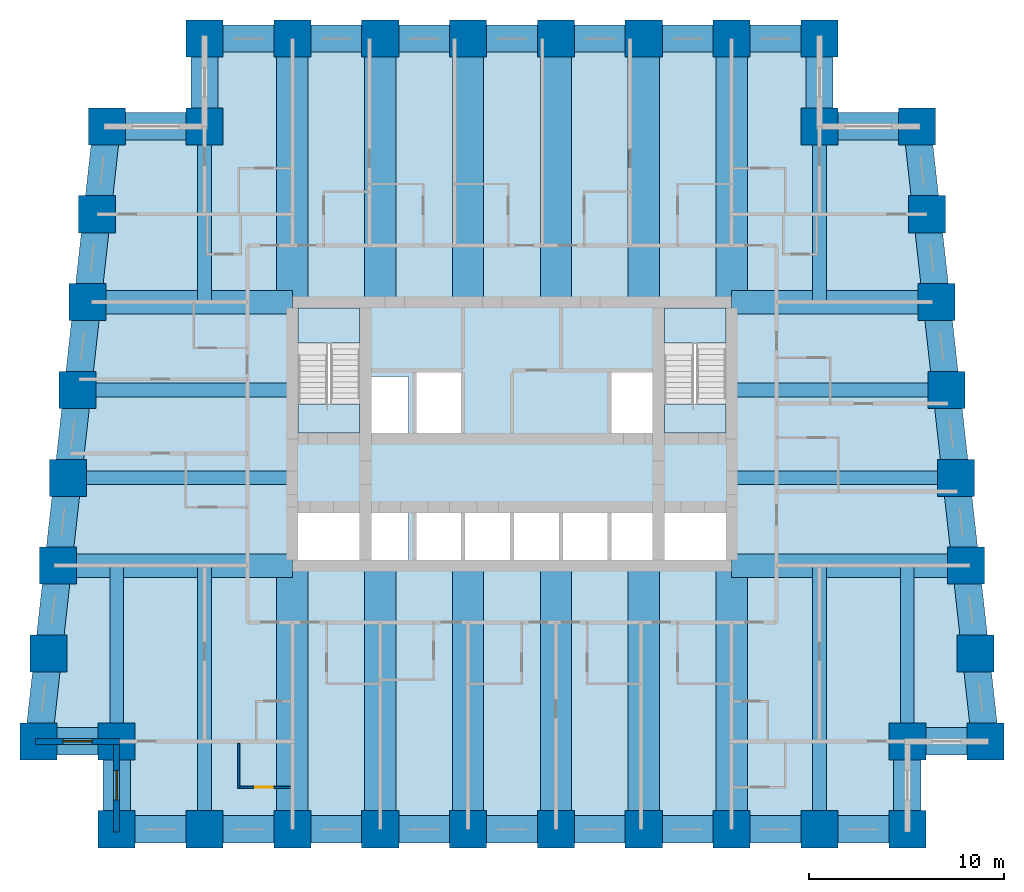
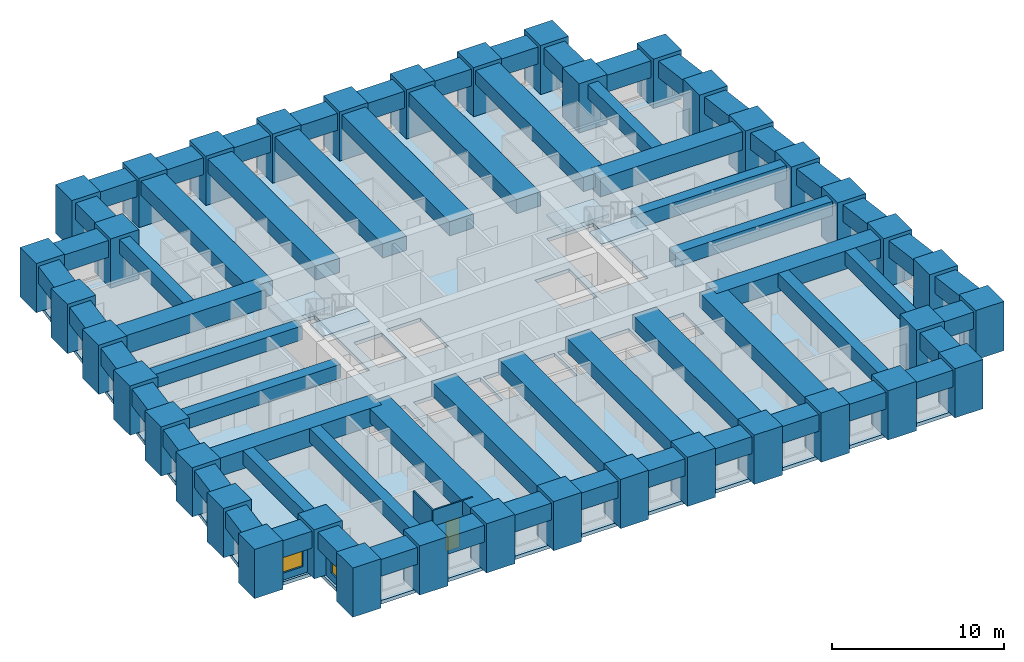
# One storey, part 1 of 8: 64 beams, 38 columns, 5 slabs, 4 walls, 2 windows, 1 door, 3 openings, 2 elements without a shape of their own.
"""IFC4 building model written with IfcOpenShell, lengths in metres."""

from ifc_helpers import new_model, si_unit, direction, frame, frame_2d, origin, origin_2d, place, context, subcontext, project, spatial, polyline, rectangle, outline, extrude, material, layer, layer_set, material_profile, profile_set, type_object, element, fill, aggregate, save


model = new_model("IFC4")

# Units and contexts
model_context = context("Model", 3, precision=1e-05, world=origin(), true_north=direction((0.0, 1.0)))
body_context = subcontext(model_context, "Body", "Model", "MODEL_VIEW")
ifc_project = project(units=[si_unit("LENGTHUNIT", "METRE"), si_unit("AREAUNIT", "SQUARE_METRE"), si_unit("VOLUMEUNIT", "CUBIC_METRE"), si_unit("PLANEANGLEUNIT", "RADIAN"), si_unit("MASSUNIT", "GRAM", prefix="KILO")], contexts=[model_context])

# Site, building, storey
site_placement = place(None, origin())
site = spatial("IfcSite", under=ifc_project, at=site_placement, CompositionType="ELEMENT")
building_placement = place(site_placement, origin())
building = spatial("IfcBuilding", under=site, at=building_placement, Name="Kilele Tower Hotel", CompositionType="ELEMENT")
storey_placement = place(building_placement, frame((0.0, 0.0, 64.699951171875)))
storey = spatial("IfcBuildingStorey", under=building, at=storey_placement, Name="L15", CompositionType="ELEMENT", Elevation=64.699951171875)

# Columns
ifc_material_1 = material(Name="Concrete C80/95", Category="concrete")
ifc_material_profile_1 = material_profile(ifc_material_1, rectangle(XDim=1.89990234375, YDim=1.89990234375, at=origin_2d()))
ifc_profile_set_1 = profile_set([ifc_material_profile_1], Name="Concrete C80/95")
column_type = type_object("IfcColumnType", Name="Tube column RC 1900x1900 C80/95", PredefinedType="COLUMN", material=ifc_profile_set_1)
for number, where, z_axis, x_axis, name in (
    (1, (0.5, 4.5, 0.0), (0.0, 0.0, 1.0), (1.0, 0.0, 0.0), "Column TC1 L15"),
    (2, (4.5, 4.5, 0.0), (0.0, 0.0, 1.0), (1.0, 0.0, 0.0), "Column TC1 L15"),
    (3, (4.5, 0.0, 0.0), (0.0, 0.0, 1.0), (1.0, 0.0, 0.0), "Column TC1 L15"),
    (4, (9.0, 0.0, 0.0), (0.0, 0.0, 1.0), (1.0, 0.0, 0.0), "Column TC1 L15"),
    (5, (13.5, 0.0, 0.0), (0.0, 0.0, 1.0), (1.0, 0.0, 0.0), "Column TC1 L15"),
    (6, (18.0, 0.0, 0.0), (0.0, 0.0, 1.0), (1.0, 0.0, 0.0), "Column TC1 L15"),
    (7, (22.5, 0.0, 0.0), (0.0, 0.0, 1.0), (1.0, 0.0, 0.0), "Column TC1 L15"),
    (8, (27.0, 0.0, 0.0), (0.0, 0.0, 1.0), (1.0, 0.0, 0.0), "Column TC1 L15"),
    (9, (31.5, 0.0, 0.0), (0.0, 0.0, 1.0), (1.0, 0.0, 0.0), "Column TC1 L15"),
    (10, (36.0, 0.0, 0.0), (0.0, 0.0, 1.0), (1.0, 0.0, 0.0), "Column TC1 L15"),
    (11, (40.5, 0.0, 0.0), (0.0, 0.0, 1.0), (1.0, 0.0, 0.0), "Column TC1 L15"),
    (12, (45.0, 0.0, 0.0), (0.0, 0.0, 1.0), (1.0, 0.0, 0.0), "Column TC1 L15"),
    (13, (45.0, 4.5, 0.0), (0.0, 0.0, 1.0), (1.0, 0.0, 0.0), "Column TC1 L15"),
    (14, (49.0, 4.5, 0.0), (0.0, 0.0, 1.0), (1.0, 0.0, 0.0), "Column TC1 L15"),
    (15, (48.5, 9.0, 0.0), (0.0, 0.0, 1.0), (1.0, 0.0, 0.0), "Column TC1 L15"),
    (16, (48.0, 13.5, 0.0), (0.0, 0.0, 1.0), (1.0, 0.0, 0.0), "Column TC1 L15"),
    (17, (47.5, 18.0, 0.0), (0.0, 0.0, 1.0), (1.0, 0.0, 0.0), "Column TC1 L15"),
    (18, (47.0, 22.5, 0.0), (0.0, 0.0, 1.0), (1.0, 0.0, 0.0), "Column TC1 L15"),
    (19, (46.5, 27.0, 0.0), (0.0, 0.0, 1.0), (1.0, 0.0, 0.0), "Column TC1 L15"),
    (20, (46.0, 31.5, 0.0), (0.0, 0.0, 1.0), (1.0, 0.0, 0.0), "Column TC1 L15"),
    (21, (45.5, 36.0, 0.0), (0.0, 0.0, 1.0), (1.0, 0.0, 0.0), "Column TC1 L15"),
    (22, (40.5, 36.0, 0.0), (0.0, 0.0, 1.0), (1.0, 0.0, 0.0), "Column TC1 L15"),
    (23, (40.5, 40.5, 0.0), (0.0, 0.0, 1.0), (1.0, 0.0, 0.0), "Column TC1 L15"),
    (24, (36.0, 40.5, 0.0), (0.0, 0.0, 1.0), (1.0, 0.0, 0.0), "Column TC1 L15"),
    (25, (31.5, 40.5, 0.0), (0.0, 0.0, 1.0), (1.0, 0.0, 0.0), "Column TC1 L15"),
    (26, (27.0, 40.5, 0.0), (0.0, 0.0, 1.0), (1.0, 0.0, 0.0), "Column TC1 L15"),
    (27, (22.5, 40.5, 0.0), (0.0, 0.0, 1.0), (1.0, 0.0, 0.0), "Column TC1 L15"),
    (28, (18.0, 40.5, 0.0), (0.0, 0.0, 1.0), (1.0, 0.0, 0.0), "Column TC1 L15"),
    (29, (13.5, 40.5, 0.0), (0.0, 0.0, 1.0), (1.0, 0.0, 0.0), "Column TC1 L15"),
    (30, (9.0, 40.5, 0.0), (0.0, 0.0, 1.0), (1.0, 0.0, 0.0), "Column TC1 L15"),
    (31, (9.0, 36.0, 0.0), (0.0, 0.0, 1.0), (1.0, 0.0, 0.0), "Column TC1 L15"),
    (32, (4.0, 36.0, 0.0), (0.0, 0.0, 1.0), (1.0, 0.0, 0.0), "Column TC1 L15"),
    (33, (3.5, 31.5, 0.0), (0.0, 0.0, 1.0), (1.0, 0.0, 0.0), "Column TC1 L15"),
    (34, (3.0, 27.0, 0.0), (0.0, 0.0, 1.0), (1.0, 0.0, 0.0), "Column TC1 L15"),
    (35, (2.5, 22.5, 0.0), (0.0, 0.0, 1.0), (1.0, 0.0, 0.0), "Column TC1 L15"),
    (36, (2.0, 18.0, 0.0), (0.0, 0.0, 1.0), (1.0, 0.0, 0.0), "Column TC1 L15"),
    (37, (1.5, 13.5, 0.0), (0.0, 0.0, 1.0), (1.0, 0.0, 0.0), "Column TC1 L15"),
    (38, (1.0, 9.0, 0.0), (0.0, 0.0, 1.0), (1.0, 0.0, 0.0), "Column TC1 L15"),
):
    element("IfcColumn", number, at=place(storey_placement, frame(where, z_axis=z_axis, x_axis=x_axis)), inside=storey, type_object=column_type, Name=name, PredefinedType="COLUMN", context=body_context, shape_type="SweptSolid", body=[
        extrude(rectangle(XDim=1.89990234375, YDim=1.89990234375, at=origin_2d()), origin(), (0.0, 0.0, 1.0), 3.5),
    ])

# Beams
ifc_material_2 = material(Name="Concrete C60/75", Category="concrete")
ifc_material_profile_2 = material_profile(ifc_material_2, rectangle(XDim=1.60009765625, YDim=1.0, at=origin_2d()))
ifc_profile_set_2 = profile_set([ifc_material_profile_2], Name="Concrete C60/75")
beam_type_1 = type_object("IfcBeamType", Name="Beam RC 1600x1000 C60/75", PredefinedType="BEAM", material=ifc_profile_set_2)
for number, where, z_axis, x_axis, name in (
    (39, (13.5, 0.0, 2.75), (0.0, 1.0, 0.0), (-1.0, 0.0, 0.0), "Beam BC1 level L16"),
    (40, (18.0, 0.0, 2.75), (0.0, 1.0, 0.0), (-1.0, 0.0, 0.0), "Beam BC1 level L16"),
    (41, (22.5, 0.0, 2.75), (0.0, 1.0, 0.0), (-1.0, 0.0, 0.0), "Beam BC1 level L16"),
    (42, (27.0, 0.0, 2.75), (0.0, 1.0, 0.0), (-1.0, 0.0, 0.0), "Beam BC1 level L16"),
    (43, (31.5, 0.0, 2.75), (0.0, 1.0, 0.0), (-1.0, 0.0, 0.0), "Beam BC1 level L16"),
    (44, (36.0, 0.0, 2.75), (0.0, 1.0, 0.0), (-1.0, 0.0, 0.0), "Beam BC1 level L16"),
    (45, (36.0, 40.5, 2.75), (0.0, -1.0, 0.0), (1.0, 0.0, 0.0), "Beam BC1 level L16"),
    (46, (31.5, 40.5, 2.75), (0.0, -1.0, 0.0), (1.0, 0.0, 0.0), "Beam BC1 level L16"),
    (47, (27.0, 40.5, 2.75), (0.0, -1.0, 0.0), (1.0, 0.0, 0.0), "Beam BC1 level L16"),
    (48, (22.5, 40.5, 2.75), (0.0, -1.0, 0.0), (1.0, 0.0, 0.0), "Beam BC1 level L16"),
    (49, (18.0, 40.5, 2.75), (0.0, -1.0, 0.0), (1.0, 0.0, 0.0), "Beam BC1 level L16"),
    (50, (13.5, 40.5, 2.75), (0.0, -1.0, 0.0), (1.0, 0.0, 0.0), "Beam BC1 level L16"),
):
    element("IfcBeam", number, at=place(storey_placement, frame(where, z_axis=z_axis, x_axis=x_axis)), inside=storey, type_object=beam_type_1, Name=name, PredefinedType="BEAM", context=body_context, shape_type="SweptSolid", body=[
        extrude(rectangle(XDim=1.60009765625, YDim=1.0, at=origin_2d()), origin(), (0.0, 0.0, 1.0), 13.5),
    ])
ifc_material_3 = material(Name="Concrete C60/75", Category="concrete")
ifc_material_profile_3 = material_profile(ifc_material_3, rectangle(XDim=0.699951171875, YDim=1.0, at=origin_2d()))
ifc_profile_set_3 = profile_set([ifc_material_profile_3], Name="Concrete C60/75")
beam_type_2 = type_object("IfcBeamType", Name="Beam RC 700x1000 C60/75", PredefinedType="BEAM", material=ifc_profile_set_3)
for number, where, z_axis, x_axis, name in (
    (51, (9.0, 0.0, 2.75), (0.0, 1.0, 0.0), (-1.0, 0.0, 0.0), "Beam B4 level L16"),
    (52, (40.5, 0.0, 2.75), (0.0, 1.0, 0.0), (-1.0, 0.0, 0.0), "Beam B4 level L16"),
):
    element("IfcBeam", number, at=place(storey_placement, frame(where, z_axis=z_axis, x_axis=x_axis)), inside=storey, type_object=beam_type_2, Name=name, PredefinedType="BEAM", context=body_context, shape_type="SweptSolid", body=[
        extrude(rectangle(XDim=0.699951171875, YDim=1.0, at=origin_2d()), origin(), (0.0, 0.0, 1.0), 13.5),
    ])
ifc_material_4 = material(Name="Concrete C60/75", Category="concrete")
ifc_material_profile_4 = material_profile(ifc_material_4, rectangle(XDim=0.699951171875, YDim=1.0, at=origin_2d()))
ifc_profile_set_4 = profile_set([ifc_material_profile_4], Name="Concrete C60/75")
beam_type_3 = type_object("IfcBeamType", Name="Beam RC 700x1000 C60/75 mid span", PredefinedType="BEAM", material=ifc_profile_set_4)
for number, where, z_axis, x_axis, name in (
    (53, (4.5, 4.5, 2.75), (0.0, 1.0, 0.0), (-1.0, 0.0, 0.0), "Beam B5 level L16"),
    (54, (45.0, 4.5, 2.75), (0.0, 1.0, 0.0), (-1.0, 0.0, 0.0), "Beam B5 level L16"),
):
    element("IfcBeam", number, at=place(storey_placement, frame(where, z_axis=z_axis, x_axis=x_axis)), inside=storey, type_object=beam_type_3, Name=name, PredefinedType="BEAM", context=body_context, shape_type="SweptSolid", body=[
        extrude(rectangle(XDim=0.699951171875, YDim=1.0, at=origin_2d()), origin(), (0.0, 0.0, 1.0), 9.0),
    ])
beam_1_placement = place(storey_placement, frame((47.5, 18.0, 2.75), z_axis=(-1.0, 0.0, 0.0), x_axis=(0.0, -1.0, 0.0)))
element("IfcBeam", 55, at=beam_1_placement, inside=storey, type_object=beam_type_3, Name="Beam B5 level L16", PredefinedType="BEAM", context=body_context, shape_type="SweptSolid", body=[
    extrude(rectangle(XDim=0.699951171875, YDim=1.0, at=origin_2d()), origin(), (0.0, 0.0, 1.0), 11.5),
])
beam_2_placement = place(storey_placement, frame((47.0, 22.5, 2.75), z_axis=(-1.0, 0.0, 0.0), x_axis=(0.0, -1.0, 0.0)))
element("IfcBeam", 56, at=beam_2_placement, inside=storey, type_object=beam_type_3, Name="Beam B5 level L16", PredefinedType="BEAM", context=body_context, shape_type="SweptSolid", body=[
    extrude(rectangle(XDim=0.699951171875, YDim=1.0, at=origin_2d()), origin(), (0.0, 0.0, 1.0), 11.0),
])
for number, where, z_axis, x_axis, name in (
    (57, (40.5, 36.0, 2.75), (0.0, -1.0, 0.0), (1.0, 0.0, 0.0), "Beam B5 level L16"),
    (58, (9.0, 36.0, 2.75), (0.0, -1.0, 0.0), (1.0, 0.0, 0.0), "Beam B5 level L16"),
):
    element("IfcBeam", number, at=place(storey_placement, frame(where, z_axis=z_axis, x_axis=x_axis)), inside=storey, type_object=beam_type_3, Name=name, PredefinedType="BEAM", context=body_context, shape_type="SweptSolid", body=[
        extrude(rectangle(XDim=0.699951171875, YDim=1.0, at=origin_2d()), origin(), (0.0, 0.0, 1.0), 9.0),
    ])
beam_3_placement = place(storey_placement, frame((2.5, 22.5, 2.75), z_axis=(1.0, 0.0, 0.0), x_axis=(0.0, 1.0, 0.0)))
element("IfcBeam", 59, at=beam_3_placement, inside=storey, type_object=beam_type_3, Name="Beam B5 level L16", PredefinedType="BEAM", context=body_context, shape_type="SweptSolid", body=[
    extrude(rectangle(XDim=0.699951171875, YDim=1.0, at=origin_2d()), origin(), (0.0, 0.0, 1.0), 11.0),
])
beam_4_placement = place(storey_placement, frame((2.0, 18.0, 2.75), z_axis=(1.0, 0.0, 0.0), x_axis=(0.0, 1.0, 0.0)))
element("IfcBeam", 60, at=beam_4_placement, inside=storey, type_object=beam_type_3, Name="Beam B5 level L16", PredefinedType="BEAM", context=body_context, shape_type="SweptSolid", body=[
    extrude(rectangle(XDim=0.699951171875, YDim=1.0, at=origin_2d()), origin(), (0.0, 0.0, 1.0), 11.5),
])
ifc_material_5 = material(Name="Concrete C60/75", Category="concrete")
ifc_material_profile_5 = material_profile(ifc_material_5, rectangle(XDim=1.199951171875, YDim=1.300048828125, at=origin_2d()))
ifc_profile_set_5 = profile_set([ifc_material_profile_5], Name="Concrete C60/75")
beam_type_4 = type_object("IfcBeamType", Name="Girder RC 1200x1300 C60/75", PredefinedType="BEAM", material=ifc_profile_set_5)
for number, where, z_axis, x_axis, name in (
    (61, (48.0, 13.5, 2.60009765625), (-1.0, 0.0, 0.0), (0.0, -1.0, 0.0), "Girder G1 level L16"),
    (62, (1.5, 13.5, 2.60009765625), (1.0, 0.0, 0.0), (0.0, 1.0, 0.0), "Girder G1 level L16"),
):
    element("IfcBeam", number, at=place(storey_placement, frame(where, z_axis=z_axis, x_axis=x_axis)), inside=storey, type_object=beam_type_4, Name=name, PredefinedType="BEAM", context=body_context, shape_type="SweptSolid", body=[
        extrude(rectangle(XDim=1.199951171875, YDim=1.300048828125, at=origin_2d()), origin(), (0.0, 0.0, 1.0), 12.0),
    ])
ifc_material_6 = material(Name="Concrete C60/75", Category="concrete")
ifc_material_profile_6 = material_profile(ifc_material_6, rectangle(XDim=1.199951171875, YDim=1.300048828125, at=origin_2d()))
ifc_profile_set_6 = profile_set([ifc_material_profile_6], Name="Concrete C60/75")
beam_type_5 = type_object("IfcBeamType", Name="Girder RC 1200x1300 C60/75 mid span", PredefinedType="BEAM", material=ifc_profile_set_6)
for number, where, z_axis, x_axis, name in (
    (63, (46.5, 27.0, 2.60009765625), (-1.0, 0.0, 0.0), (0.0, -1.0, 0.0), "Girder G3 level L16"),
    (64, (3.0, 27.0, 2.60009765625), (1.0, 0.0, 0.0), (0.0, 1.0, 0.0), "Girder G3 level L16"),
):
    element("IfcBeam", number, at=place(storey_placement, frame(where, z_axis=z_axis, x_axis=x_axis)), inside=storey, type_object=beam_type_5, Name=name, PredefinedType="BEAM", context=body_context, shape_type="SweptSolid", body=[
        extrude(rectangle(XDim=1.199951171875, YDim=1.300048828125, at=origin_2d()), origin(), (0.0, 0.0, 1.0), 10.5),
    ])
ifc_material_7 = material(Name="Concrete C60/75", Category="concrete")
ifc_material_profile_7 = material_profile(ifc_material_7, rectangle(XDim=1.39990234375, YDim=1.199951171875, at=origin_2d()))
ifc_profile_set_7 = profile_set([ifc_material_profile_7], Name="Concrete C60/75")
beam_type_6 = type_object("IfcBeamType", Name="Spandrel RC 1400x1200 C60/75", PredefinedType="SPANDREL", material=ifc_profile_set_7)
beam_5_placement = place(storey_placement, frame((0.5, 4.5, 2.650146484375), z_axis=(1.0, 0.0, 0.0), x_axis=(0.0, 1.0, 0.0)))
element("IfcBeam", 65, at=beam_5_placement, inside=storey, type_object=beam_type_6, Name="Spandrel SP10 level L16", PredefinedType="SPANDREL", context=body_context, shape_type="SweptSolid", body=[
    extrude(rectangle(XDim=1.39990234375, YDim=1.199951171875, at=origin_2d()), origin(), (0.0, 0.0, 1.0), 4.0),
])
for number, where, z_axis, x_axis, name in (
    (66, (4.5, 4.5, 2.650146484375), (0.0, -1.0, 0.0), (1.0, 0.0, 0.0), "Spandrel SP10 level L16"),
    (67, (4.5, 0.0, 2.650146484375), (1.0, 0.0, 0.0), (0.0, 1.0, 0.0), "Spandrel SP10 level L16"),
    (68, (9.0, 0.0, 2.650146484375), (1.0, 0.0, 0.0), (0.0, 1.0, 0.0), "Spandrel SP10 level L16"),
    (69, (13.5, 0.0, 2.650146484375), (1.0, 0.0, 0.0), (0.0, 1.0, 0.0), "Spandrel SP10 level L16"),
    (70, (18.0, 0.0, 2.650146484375), (1.0, 0.0, 0.0), (0.0, 1.0, 0.0), "Spandrel SP10 level L16"),
    (71, (22.5, 0.0, 2.650146484375), (1.0, 0.0, 0.0), (0.0, 1.0, 0.0), "Spandrel SP10 level L16"),
    (72, (27.0, 0.0, 2.650146484375), (1.0, 0.0, 0.0), (0.0, 1.0, 0.0), "Spandrel SP10 level L16"),
    (73, (31.5, 0.0, 2.650146484375), (1.0, 0.0, 0.0), (0.0, 1.0, 0.0), "Spandrel SP10 level L16"),
    (74, (36.0, 0.0, 2.650146484375), (1.0, 0.0, 0.0), (0.0, 1.0, 0.0), "Spandrel SP10 level L16"),
    (75, (40.5, 0.0, 2.650146484375), (1.0, 0.0, 0.0), (0.0, 1.0, 0.0), "Spandrel SP10 level L16"),
    (76, (45.0, 0.0, 2.650146484375), (0.0, 1.0, 0.0), (-1.0, 0.0, 0.0), "Spandrel SP10 level L16"),
):
    element("IfcBeam", number, at=place(storey_placement, frame(where, z_axis=z_axis, x_axis=x_axis)), inside=storey, type_object=beam_type_6, Name=name, PredefinedType="SPANDREL", context=body_context, shape_type="SweptSolid", body=[
        extrude(rectangle(XDim=1.39990234375, YDim=1.199951171875, at=origin_2d()), origin(), (0.0, 0.0, 1.0), 4.5),
    ])
beam_6_placement = place(storey_placement, frame((45.0, 4.5, 2.650146484375), z_axis=(1.0, 0.0, 0.0), x_axis=(0.0, 1.0, 0.0)))
element("IfcBeam", 77, at=beam_6_placement, inside=storey, type_object=beam_type_6, Name="Spandrel SP10 level L16", PredefinedType="SPANDREL", context=body_context, shape_type="SweptSolid", body=[
    extrude(rectangle(XDim=1.39990234375, YDim=1.199951171875, at=origin_2d()), origin(), (0.0, 0.0, 1.0), 4.0),
])
for number, where, z_axis, x_axis, name in (
    (78, (49.0, 4.5, 2.650146484375), (-0.110431526075, 0.993883734674, 0.0), (-0.993883734674, -0.110431526075, 0.0), "Spandrel SP10 level L16"),
    (79, (48.5, 9.0, 2.650146484375), (-0.110431526075, 0.993883734674, 0.0), (-0.993883734674, -0.110431526075, 0.0), "Spandrel SP10 level L16"),
    (80, (48.0, 13.5, 2.650146484375), (-0.110431526075, 0.993883734674, 0.0), (-0.993883734674, -0.110431526075, 0.0), "Spandrel SP10 level L16"),
    (81, (47.5, 18.0, 2.650146484375), (-0.110431526075, 0.993883734674, 0.0), (-0.993883734674, -0.110431526075, 0.0), "Spandrel SP10 level L16"),
    (82, (47.0, 22.5, 2.650146484375), (-0.110431526075, 0.993883734674, 0.0), (-0.993883734674, -0.110431526075, 0.0), "Spandrel SP10 level L16"),
    (83, (46.5, 27.0, 2.650146484375), (-0.110431526075, 0.993883734674, 0.0), (-0.993883734674, -0.110431526075, 0.0), "Spandrel SP10 level L16"),
    (84, (46.0, 31.5, 2.650146484375), (-0.110431526075, 0.993883734674, 0.0), (-0.993883734674, -0.110431526075, 0.0), "Spandrel SP10 level L16"),
):
    element("IfcBeam", number, at=place(storey_placement, frame(where, z_axis=z_axis, x_axis=x_axis)), inside=storey, type_object=beam_type_6, Name=name, PredefinedType="SPANDREL", context=body_context, shape_type="SweptSolid", body=[
        extrude(rectangle(XDim=1.39990234375, YDim=1.199951171875, at=origin_2d()), origin(), (0.0, 0.0, 1.0), 4.527587890625),
    ])
beam_7_placement = place(storey_placement, frame((45.5, 36.0, 2.650146484375), z_axis=(-1.0, 0.0, 0.0), x_axis=(0.0, -1.0, 0.0)))
element("IfcBeam", 85, at=beam_7_placement, inside=storey, type_object=beam_type_6, Name="Spandrel SP10 level L16", PredefinedType="SPANDREL", context=body_context, shape_type="SweptSolid", body=[
    extrude(rectangle(XDim=1.39990234375, YDim=1.199951171875, at=origin_2d()), origin(), (0.0, 0.0, 1.0), 5.0),
])
for number, where, z_axis, x_axis, name in (
    (86, (40.5, 36.0, 2.650146484375), (0.0, 1.0, 0.0), (-1.0, 0.0, 0.0), "Spandrel SP10 level L16"),
    (87, (40.5, 40.5, 2.650146484375), (-1.0, 0.0, 0.0), (0.0, -1.0, 0.0), "Spandrel SP10 level L16"),
    (88, (36.0, 40.5, 2.650146484375), (-1.0, 0.0, 0.0), (0.0, -1.0, 0.0), "Spandrel SP10 level L16"),
    (89, (31.5, 40.5, 2.650146484375), (-1.0, 0.0, 0.0), (0.0, -1.0, 0.0), "Spandrel SP10 level L16"),
    (90, (27.0, 40.5, 2.650146484375), (-1.0, 0.0, 0.0), (0.0, -1.0, 0.0), "Spandrel SP10 level L16"),
    (91, (22.5, 40.5, 2.650146484375), (-1.0, 0.0, 0.0), (0.0, -1.0, 0.0), "Spandrel SP10 level L16"),
    (92, (18.0, 40.5, 2.650146484375), (-1.0, 0.0, 0.0), (0.0, -1.0, 0.0), "Spandrel SP10 level L16"),
    (93, (13.5, 40.5, 2.650146484375), (-1.0, 0.0, 0.0), (0.0, -1.0, 0.0), "Spandrel SP10 level L16"),
    (94, (9.0, 40.5, 2.650146484375), (0.0, -1.0, 0.0), (1.0, 0.0, 0.0), "Spandrel SP10 level L16"),
):
    element("IfcBeam", number, at=place(storey_placement, frame(where, z_axis=z_axis, x_axis=x_axis)), inside=storey, type_object=beam_type_6, Name=name, PredefinedType="SPANDREL", context=body_context, shape_type="SweptSolid", body=[
        extrude(rectangle(XDim=1.39990234375, YDim=1.199951171875, at=origin_2d()), origin(), (0.0, 0.0, 1.0), 4.5),
    ])
beam_8_placement = place(storey_placement, frame((9.0, 36.0, 2.650146484375), z_axis=(-1.0, 0.0, 0.0), x_axis=(0.0, -1.0, 0.0)))
element("IfcBeam", 95, at=beam_8_placement, inside=storey, type_object=beam_type_6, Name="Spandrel SP10 level L16", PredefinedType="SPANDREL", context=body_context, shape_type="SweptSolid", body=[
    extrude(rectangle(XDim=1.39990234375, YDim=1.199951171875, at=origin_2d()), origin(), (0.0, 0.0, 1.0), 5.0),
])
for number, where, z_axis, x_axis, name in (
    (96, (4.0, 36.0, 2.650146484375), (-0.110431526075, -0.993883734674, 0.0), (0.993883734674, -0.110431526075, 0.0), "Spandrel SP10 level L16"),
    (97, (3.5, 31.5, 2.650146484375), (-0.110431526075, -0.993883734674, 0.0), (0.993883734674, -0.110431526075, 0.0), "Spandrel SP10 level L16"),
    (98, (3.0, 27.0, 2.650146484375), (-0.110431526075, -0.993883734674, 0.0), (0.993883734674, -0.110431526075, 0.0), "Spandrel SP10 level L16"),
    (99, (2.5, 22.5, 2.650146484375), (-0.110431526075, -0.993883734674, 0.0), (0.993883734674, -0.110431526075, 0.0), "Spandrel SP10 level L16"),
    (100, (2.0, 18.0, 2.650146484375), (-0.110431526075, -0.993883734674, 0.0), (0.993883734674, -0.110431526075, 0.0), "Spandrel SP10 level L16"),
    (101, (1.5, 13.5, 2.650146484375), (-0.110431526075, -0.993883734674, 0.0), (0.993883734674, -0.110431526075, 0.0), "Spandrel SP10 level L16"),
    (102, (1.0, 9.0, 2.650146484375), (-0.110431526075, -0.993883734674, 0.0), (0.993883734674, -0.110431526075, 0.0), "Spandrel SP10 level L16"),
):
    element("IfcBeam", number, at=place(storey_placement, frame(where, z_axis=z_axis, x_axis=x_axis)), inside=storey, type_object=beam_type_6, Name=name, PredefinedType="SPANDREL", context=body_context, shape_type="SweptSolid", body=[
        extrude(rectangle(XDim=1.39990234375, YDim=1.199951171875, at=origin_2d()), origin(), (0.0, 0.0, 1.0), 4.527587890625),
    ])

# Slab
ifc_material_8 = material(Name="Concrete C60/75", Category="concrete")
ifc_layer_1 = layer(ifc_material_8, 0.25)
ifc_layer_set_1 = layer_set([ifc_layer_1], Name="Concrete C60/75")
slab_type_1 = type_object("IfcSlabType", Name="Floor slab 250", PredefinedType="FLOOR", material=ifc_layer_set_1)
slab_1_placement = place(storey_placement, frame((0.0, 0.0, -0.25)))
element("IfcSlab", 103, at=slab_1_placement, inside=storey, type_object=slab_type_1, Name="Floor slab L15", PredefinedType="FLOOR", context=body_context, shape_type="SweptSolid", body=[
    extrude(outline(polyline([(8.699951171875, 36.300048828125), (8.699951171875, 40.800048828125), (40.800048828125, 40.800048828125), (40.800048828125, 36.300048828125), (45.7685546875, 36.300048828125), (49.335205078125, 4.199951171875), (45.300048828125, 4.199951171875), (45.300048828125, -0.300048828125), (4.199951171875, -0.300048828125), (4.199951171875, 4.199951171875), (0.164794921875, 4.199951171875), (3.7314453125, 36.300048828125), (8.699951171875, 36.300048828125)]), holes=[polyline([(16.949951171875, 16.199951171875), (13.800048828125, 16.199951171875), (13.800048828125, 13.800048828125), (16.949951171875, 13.800048828125), (16.949951171875, 16.199951171875)]), polyline([(19.449951171875, 13.800048828125), (19.449951171875, 16.199951171875), (17.550048828125, 16.199951171875), (17.550048828125, 13.800048828125), (19.449951171875, 13.800048828125)]), polyline([(22.14990234375, 13.800048828125), (22.14990234375, 16.39990234375), (19.85009765625, 16.39990234375), (19.85009765625, 13.800048828125), (22.14990234375, 13.800048828125)]), polyline([(24.64990234375, 16.39990234375), (22.35009765625, 16.39990234375), (22.35009765625, 13.800048828125), (24.64990234375, 13.800048828125), (24.64990234375, 16.39990234375)]), polyline([(19.449951171875, 20.300048828125), (19.449951171875, 23.199951171875), (17.550048828125, 23.199951171875), (17.550048828125, 20.300048828125), (19.449951171875, 20.300048828125)]), polyline([(22.14990234375, 20.10009765625), (22.14990234375, 23.39990234375), (19.85009765625, 23.39990234375), (19.85009765625, 20.10009765625), (22.14990234375, 20.10009765625)]), polyline([(16.949951171875, 26.699951171875), (13.800048828125, 26.699951171875), (13.800048828125, 20.300048828125), (16.949951171875, 20.300048828125), (16.949951171875, 26.699951171875)]), polyline([(35.699951171875, 13.800048828125), (35.699951171875, 16.199951171875), (32.550048828125, 16.199951171875), (32.550048828125, 13.800048828125), (35.699951171875, 13.800048828125)]), polyline([(27.14990234375, 13.800048828125), (27.14990234375, 16.39990234375), (24.85009765625, 16.39990234375), (24.85009765625, 13.800048828125), (27.14990234375, 13.800048828125)]), polyline([(29.64990234375, 13.800048828125), (29.64990234375, 16.39990234375), (27.35009765625, 16.39990234375), (27.35009765625, 13.800048828125), (29.64990234375, 13.800048828125)]), polyline([(32.14990234375, 13.800048828125), (32.14990234375, 16.39990234375), (29.85009765625, 16.39990234375), (29.85009765625, 13.800048828125), (32.14990234375, 13.800048828125)]), polyline([(32.14990234375, 20.10009765625), (32.14990234375, 23.39990234375), (29.85009765625, 23.39990234375), (29.85009765625, 20.10009765625), (32.14990234375, 20.10009765625)]), polyline([(35.699951171875, 20.300048828125), (35.699951171875, 26.699951171875), (32.550048828125, 26.699951171875), (32.550048828125, 20.300048828125), (35.699951171875, 20.300048828125)])]), origin(), (0.0, 0.0, 1.0), 0.25),
])

# Stair, slabs
ifc_material_9 = material(Name="Precast concrete C40/50", Category="concrete")
stair_type = type_object("IfcStairType", Name="Stair 1475 x 3500", PredefinedType="HALF_TURN_STAIR", material=ifc_material_9)
stair_1_placement = place(storey_placement, origin())
stair_1 = element("IfcStair", 104, at=stair_1_placement, inside=storey, type_object=stair_type, Name="Stair 1 L15", PredefinedType="HALF_TURN_STAIR")
ifc_material_10 = material(Name="Precast concrete C40/50", Category="concrete")
ifc_layer_2 = layer(ifc_material_10, 0.199951171875)
ifc_layer_set_2 = layer_set([ifc_layer_2], Name="Precast concrete C40/50")
slab_type_2 = type_object("IfcSlabType", Name="Stair landing 200", PredefinedType="LANDING", material=ifc_layer_set_2)
slab_2_placement = place(storey_placement, frame((0.0, 0.0, 1.550048828125)))
slab_2 = element("IfcSlab", 105, at=slab_2_placement, type_object=slab_type_2, Name="ST1 landing 1", PredefinedType="LANDING", context=body_context, shape_type="SweptSolid", body=[
    extrude(outline(polyline([(13.800048828125, 24.89501953125), (16.949951171875, 24.89501953125), (16.949951171875, 26.699951171875), (13.800048828125, 26.699951171875), (13.800048828125, 24.89501953125)])), origin(), (0.0, 0.0, 1.0), 0.199951171875),
])
slab_3_placement = place(storey_placement, frame((0.0, 0.0, 3.300048828125)))
slab_3 = element("IfcSlab", 106, at=slab_3_placement, type_object=slab_type_2, Name="ST1 landing 2", PredefinedType="LANDING", context=body_context, shape_type="SweptSolid", body=[
    extrude(outline(polyline([(13.800048828125, 20.300048828125), (16.949951171875, 20.300048828125), (16.949951171875, 21.77490234375), (13.800048828125, 21.77490234375), (13.800048828125, 20.300048828125)])), origin(), (0.0, 0.0, 1.0), 0.199951171875),
])
aggregate(stair_1, [slab_2, slab_3])

stair_2_placement = place(storey_placement, origin())
stair_2 = element("IfcStair", 107, at=stair_2_placement, inside=storey, type_object=stair_type, Name="Stair 2 L15", PredefinedType="HALF_TURN_STAIR")
slab_4_placement = place(storey_placement, frame((0.0, 0.0, 1.550048828125)))
slab_4 = element("IfcSlab", 108, at=slab_4_placement, type_object=slab_type_2, Name="ST2 landing 1", PredefinedType="LANDING", context=body_context, shape_type="SweptSolid", body=[
    extrude(outline(polyline([(32.550048828125, 24.89501953125), (35.699951171875, 24.89501953125), (35.699951171875, 26.699951171875), (32.550048828125, 26.699951171875), (32.550048828125, 24.89501953125)])), origin(), (0.0, 0.0, 1.0), 0.199951171875),
])
slab_5_placement = place(storey_placement, frame((0.0, 0.0, 3.300048828125)))
slab_5 = element("IfcSlab", 109, at=slab_5_placement, type_object=slab_type_2, Name="ST2 landing 2", PredefinedType="LANDING", context=body_context, shape_type="SweptSolid", body=[
    extrude(outline(polyline([(32.550048828125, 20.300048828125), (35.699951171875, 20.300048828125), (35.699951171875, 21.77490234375), (32.550048828125, 21.77490234375), (32.550048828125, 20.300048828125)])), origin(), (0.0, 0.0, 1.0), 0.199951171875),
])
aggregate(stair_2, [slab_4, slab_5])

# Wall
ifc_material_11 = material(Name="Moisture-resistant board")
ifc_layer_3 = layer(ifc_material_11, 0.10009765625)
ifc_layer_set_3 = layer_set([ifc_layer_3], Name="Moisture-resistant board")
wall_type_1 = type_object("IfcWallType", Name="Bathroom partition 100", PredefinedType="PLUMBINGWALL", material=ifc_layer_set_3)
wall_1_placement = place(storey_placement, frame((10.75, 4.39990234375, 0.0), z_axis=(0.0, 0.0, 1.0), x_axis=(0.0, -1.0, 0.0)))
element("IfcWall", 110, at=wall_1_placement, inside=storey, type_object=wall_type_1, Name="Bathroom partition 100 L15", PredefinedType="PLUMBINGWALL", context=body_context, shape_type="SweptSolid", body=[
    extrude(rectangle(XDim=2.2998046875, YDim=0.10009765625, at=frame_2d((1.14990234375, 0.0))), origin(), (0.0, 0.0, 1.0), 3.25),
])

# Wall, opening, door
wall_2_placement = place(storey_placement, frame((13.39990234375, 2.14990234375, 0.0), z_axis=(0.0, 0.0, 1.0), x_axis=(-1.0, 0.0, 0.0)))
wall_2 = element("IfcWall", 111, at=wall_2_placement, inside=storey, type_object=wall_type_1, Name="Bathroom partition 100 L15", PredefinedType="PLUMBINGWALL", context=body_context, shape_type="SweptSolid", body=[
    extrude(rectangle(XDim=2.699951171875, YDim=0.10009765625, at=frame_2d((1.35009765625, 0.0))), origin(), (0.0, 0.0, 1.0), 3.25),
])
opening_1_placement = place(wall_2_placement, frame((0.89990234375, 0.0, 0.0)))
opening_1 = element("IfcOpeningElement", 112, at=opening_1_placement, cuts=wall_2, Name="Opening D2A", PredefinedType="OPENING", context=body_context, shape_type="SweptSolid", body=[
    extrude(rectangle(XDim=0.89990234375, YDim=2.10009765625, at=frame_2d((0.449951171875, 1.050048828125))), frame((0.0, 0.06005859375, 0.0), z_axis=(0.0, -1.0, 0.0), x_axis=(1.0, 0.0, 0.0)), (0.0, 0.0, 1.0), 0.1201171875),
])
ifc_material_12 = material(Name="Timber door leaf in hardwood frame", Category="wood")
door_type = type_object("IfcDoorType", Name="Bathroom door 900", OperationType="SINGLE_SWING_LEFT", PredefinedType="DOOR", material=ifc_material_12)
door_placement = place(opening_1_placement, origin())
door = element("IfcDoor", 113, at=door_placement, inside=storey, type_object=door_type, Name="Bathroom door 1519B", OperationType="SINGLE_SWING_LEFT", OverallHeight=2.10009765625, OverallWidth=0.89990234375, PredefinedType="DOOR", context=body_context, shape_type="SweptSolid", body=[
    extrude(rectangle(XDim=0.89990234375, YDim=2.10009765625, at=frame_2d((0.449951171875, 1.050048828125))), frame((0.0, 0.02490234375, 0.0), z_axis=(0.0, -1.0, 0.0), x_axis=(1.0, 0.0, 0.0)), (0.0, 0.0, 1.0), 0.050048828125),
])
fill(opening_1, door)

# Wall, opening, window
ifc_material_13 = material(Name="Concrete C40/50 precast", Category="concrete")
ifc_layer_4 = layer(ifc_material_13, 0.260009765625, Name="Precast backing", Category="LoadBearing")
ifc_material_14 = material(Name="Reconstituted stone finish", Category="masonry")
ifc_layer_5 = layer(ifc_material_14, 0.0400390625, Name="Face mix", Category="Finish")
ifc_layer_set_4 = layer_set([ifc_layer_4, ifc_layer_5], Name="Precast concrete C40/50, reconstituted stone finish")
wall_type_2 = type_object("IfcWallType", Name="Precast stone facade wall 300", PredefinedType="STANDARD", material=ifc_layer_set_4)
wall_3_placement = place(storey_placement, frame((0.35009765625, 4.5, 0.0), z_axis=(0.0, 0.0, 1.0), x_axis=(1.0, 0.0, 0.0)))
wall_3 = element("IfcWall", 114, at=wall_3_placement, inside=storey, type_object=wall_type_2, Name="Facade wall L15 edge 1", PredefinedType="STANDARD", context=body_context, shape_type="SweptSolid", body=[
    extrude(rectangle(XDim=4.2998046875, YDim=0.300048828125, at=frame_2d((2.14990234375, 0.0))), origin(), (0.0, 0.0, 1.0), 2.050048828125),
])
opening_2_placement = place(wall_3_placement, frame((1.39990234375, 0.0, 0.5)))
opening_2 = element("IfcOpeningElement", 115, at=opening_2_placement, cuts=wall_3, Name="Opening W1", PredefinedType="OPENING", context=body_context, shape_type="SweptSolid", body=[
    extrude(rectangle(XDim=1.5, YDim=1.39990234375, at=frame_2d((0.75, 0.699951171875))), frame((0.0, 0.159912109375, 0.0), z_axis=(0.0, -1.0, 0.0), x_axis=(1.0, 0.0, 0.0)), (0.0, 0.0, 1.0), 0.320068359375),
])
ifc_material_15 = material(Name="Aluminium frame, clear double glazing", Category="aluminium")
window_type = type_object("IfcWindowType", Name="Window W1 1500 x 1400", PartitioningType="SINGLE_PANEL", PredefinedType="WINDOW", material=ifc_material_15)
window_1_placement = place(opening_2_placement, origin())
window_1 = element("IfcWindow", 116, at=window_1_placement, inside=storey, type_object=window_type, Name="Window L15", OverallHeight=1.39990234375, OverallWidth=1.5, PartitioningType="SINGLE_PANEL", PredefinedType="WINDOW", context=body_context, shape_type="SweptSolid", body=[
    extrude(rectangle(XDim=1.5, YDim=1.39990234375, at=frame_2d((0.75, 0.699951171875))), frame((0.0, 0.030029296875, 0.0), z_axis=(0.0, -1.0, 0.0), x_axis=(1.0, 0.0, 0.0)), (0.0, 0.0, 1.0), 0.06005859375),
])
fill(opening_2, window_1)

wall_4_placement = place(storey_placement, frame((4.5, 4.64990234375, 0.0), z_axis=(0.0, 0.0, 1.0), x_axis=(0.0, -1.0, 0.0)))
wall_4 = element("IfcWall", 117, at=wall_4_placement, inside=storey, type_object=wall_type_2, Name="Facade wall L15 edge 2", PredefinedType="STANDARD", context=body_context, shape_type="SweptSolid", body=[
    extrude(rectangle(XDim=4.7998046875, YDim=0.300048828125, at=frame_2d((2.39990234375, 0.0))), origin(), (0.0, 0.0, 1.0), 2.050048828125),
])
opening_3_placement = place(wall_4_placement, frame((1.64990234375, 0.0, 0.5)))
opening_3 = element("IfcOpeningElement", 118, at=opening_3_placement, cuts=wall_4, Name="Opening W1", PredefinedType="OPENING", context=body_context, shape_type="SweptSolid", body=[
    extrude(rectangle(XDim=1.5, YDim=1.39990234375, at=frame_2d((0.75, 0.699951171875))), frame((0.0, 0.159912109375, 0.0), z_axis=(0.0, -1.0, 0.0), x_axis=(1.0, 0.0, 0.0)), (0.0, 0.0, 1.0), 0.320068359375),
])
window_2_placement = place(opening_3_placement, origin())
window_2 = element("IfcWindow", 119, at=window_2_placement, inside=storey, type_object=window_type, Name="Window L15", OverallHeight=1.39990234375, OverallWidth=1.5, PartitioningType="SINGLE_PANEL", PredefinedType="WINDOW", context=body_context, shape_type="SweptSolid", body=[
    extrude(rectangle(XDim=1.5, YDim=1.39990234375, at=frame_2d((0.75, 0.699951171875))), frame((0.0, 0.030029296875, 0.0), z_axis=(0.0, -1.0, 0.0), x_axis=(1.0, 0.0, 0.0)), (0.0, 0.0, 1.0), 0.06005859375),
])
fill(opening_3, window_2)

save(model, "model.ifc")
